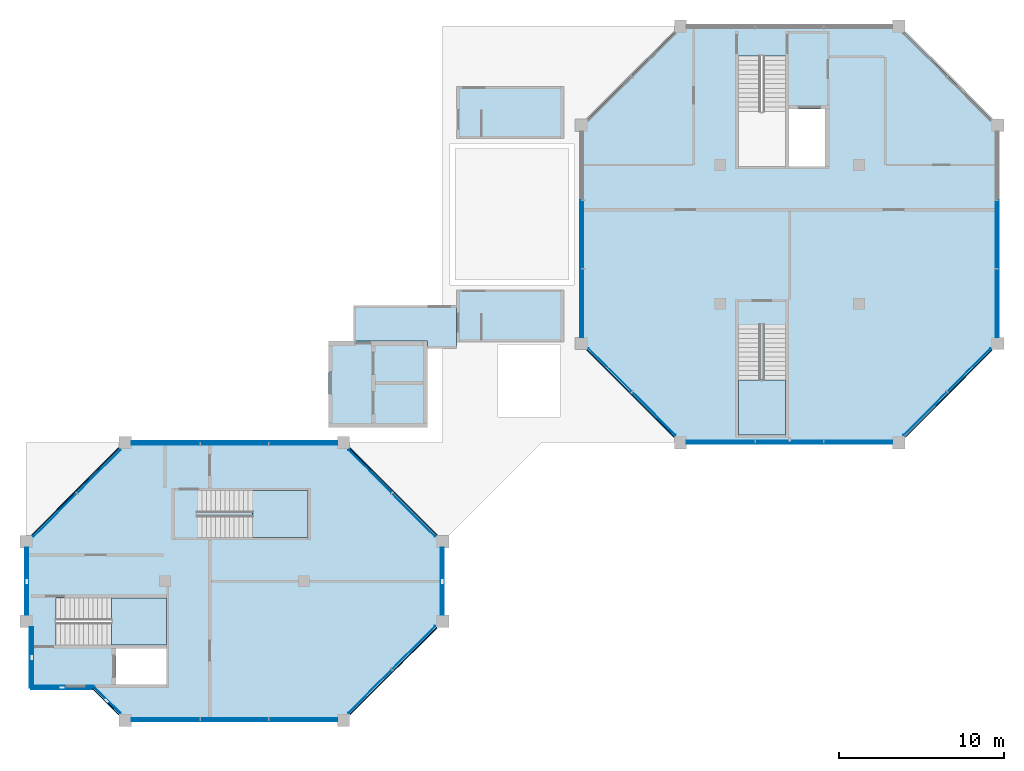
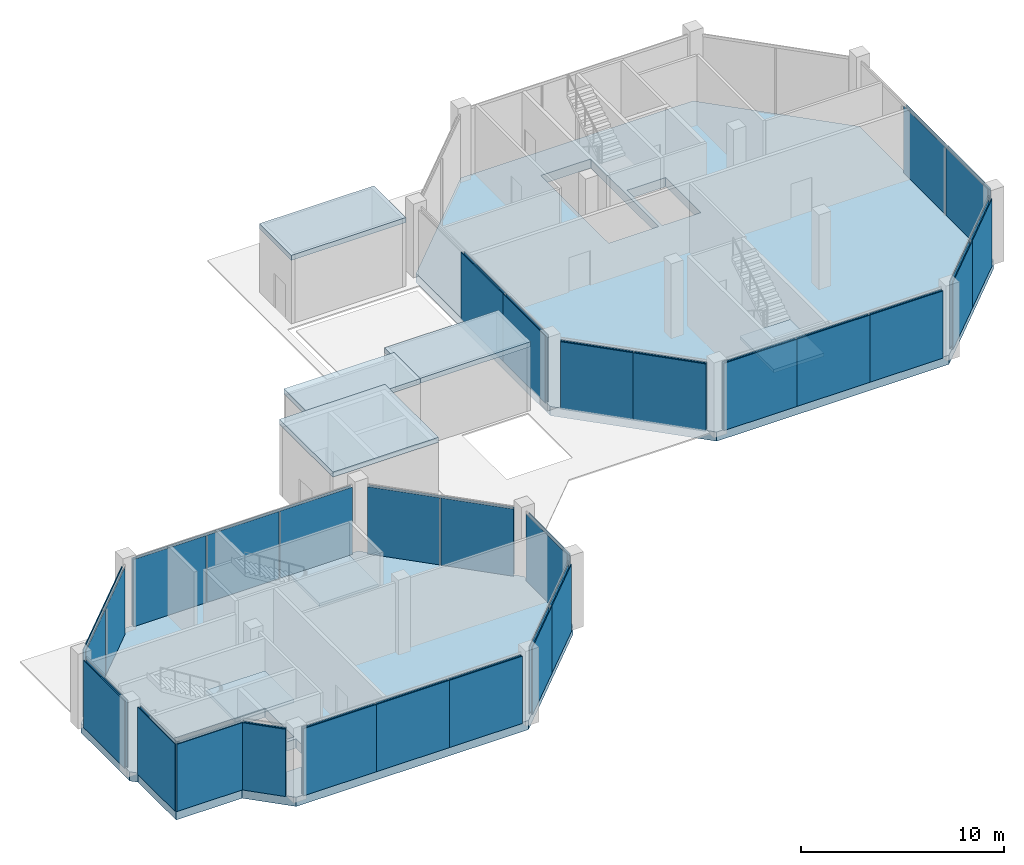
# One storey, part 4 of 10: 56 plates, 9 slabs, 18 elements without a shape of their own.
"""IFC4 building model written with IfcOpenShell, lengths in metres."""

from ifc_helpers import new_model, si_unit, direction, frame, origin, origin_2d, place, context, subcontext, project, spatial, polyline, rectangle, outline, extrude, material, layer, layer_set, type_object, element, aggregate, save


model = new_model("IFC4")

# Units and contexts
model_context = context("Model", 3, precision=1e-05, world=origin(), true_north=direction((0.0, 1.0)))
body_context = subcontext(model_context, "Body", "Model", "MODEL_VIEW")
ifc_project = project(units=[si_unit("LENGTHUNIT", "METRE"), si_unit("AREAUNIT", "SQUARE_METRE"), si_unit("VOLUMEUNIT", "CUBIC_METRE"), si_unit("PLANEANGLEUNIT", "RADIAN"), si_unit("MASSUNIT", "GRAM", prefix="KILO")], contexts=[model_context])

# Site, building, storey
site_placement = place(None, origin())
site = spatial("IfcSite", under=ifc_project, at=site_placement, CompositionType="ELEMENT")
building_placement = place(site_placement, origin())
building = spatial("IfcBuilding", under=site, at=building_placement, Name="Kawkab Arch Medical Tower", CompositionType="ELEMENT")
storey_placement = place(building_placement, frame((0.0, 0.0, 336.699951171875)))
storey = spatial("IfcBuildingStorey", under=building, at=storey_placement, Name="L78", CompositionType="ELEMENT", Elevation=336.699951171875)

# Curtain wall, plates
ifc_material_1 = material(Name="Bronze anodised aluminium curtain wall frame", Category="aluminium")
ifc_layer_1 = layer(ifc_material_1, 0.159912109375)
ifc_layer_set_1 = layer_set([ifc_layer_1], Name="Bronze anodised aluminium curtain wall frame")
curtain_wall_type = type_object("IfcCurtainWallType", Name="CW6 helipad lobby and crown glazing", PredefinedType="NOTDEFINED", material=ifc_layer_set_1)
placement_1 = place(storey_placement, origin())
curtain_wall_1 = element("IfcCurtainWall", 1, at=placement_1, inside=storey, type_object=curtain_wall_type, Name="CW6 Helipad lobby and crown glazing R04", PredefinedType="NOTDEFINED")
ifc_material_2 = material(Name="Tinted laminated insulating glass, low iron", Category="glass")
ifc_layer_2 = layer(ifc_material_2, 0.0400390625)
ifc_layer_set_2 = layer_set([ifc_layer_2], Name="Tinted laminated insulating glass, low iron")
plate_type_1 = type_object("IfcPlateType", Name="CW6 glazing unit 40", PredefinedType="CURTAIN_PANEL", material=ifc_layer_set_2)
plate_1_placement = place(storey_placement, frame((33.699951171875, -12.60009765625, 0.0), z_axis=(0.0, 0.0, 1.0), x_axis=(0.0, -1.0, 0.0)))
plate_1 = element("IfcPlate", 2, at=plate_1_placement, type_object=plate_type_1, Name="CW6 glazing unit 1.2", PredefinedType="CURTAIN_PANEL", context=body_context, shape_type="SweptSolid", body=[
    extrude(rectangle(XDim=4.080078125, YDim=0.0400390625, at=origin_2d()), origin(), (0.0, 0.0, 1.0), 4.0400390625),
])
plate_2_placement = place(storey_placement, frame((33.699951171875, -16.767578125, 0.0), z_axis=(0.0, 0.0, 1.0), x_axis=(0.0, -1.0, 0.0)))
plate_2 = element("IfcPlate", 3, at=plate_2_placement, type_object=plate_type_1, Name="CW6 glazing unit 1.3", PredefinedType="CURTAIN_PANEL", context=body_context, shape_type="SweptSolid", body=[
    extrude(rectangle(XDim=4.114990234375, YDim=0.0400390625, at=origin_2d()), origin(), (0.0, 0.0, 1.0), 4.0400390625),
])
aggregate(curtain_wall_1, [plate_1, plate_2])

curtain_wall_2 = element("IfcCurtainWall", 4, at=placement_1, inside=storey, type_object=curtain_wall_type, Name="CW6 Helipad lobby and crown glazing R05", PredefinedType="NOTDEFINED")
plate_3_placement = place(storey_placement, frame((35.345703125, -20.804443359375, 0.0), z_axis=(0.0, 0.0, 1.0), x_axis=(0.707106781187, -0.707106781187, 0.0)))
plate_3 = element("IfcPlate", 5, at=plate_3_placement, type_object=plate_type_1, Name="CW6 glazing unit 1.1", PredefinedType="CURTAIN_PANEL", context=body_context, shape_type="SweptSolid", body=[
    extrude(rectangle(XDim=3.67724609375, YDim=0.0400390625, at=origin_2d()), origin(), (0.0, 0.0, 1.0), 4.0400390625),
])
plate_4_placement = place(storey_placement, frame((37.99560546875, -23.4541015625, 0.0), z_axis=(0.0, 0.0, 1.0), x_axis=(0.707106781187, -0.707106781187, 0.0)))
plate_4 = element("IfcPlate", 6, at=plate_4_placement, type_object=plate_type_1, Name="CW6 glazing unit 1.2", PredefinedType="CURTAIN_PANEL", context=body_context, shape_type="SweptSolid", body=[
    extrude(rectangle(XDim=3.67724609375, YDim=0.0400390625, at=origin_2d()), origin(), (0.0, 0.0, 1.0), 4.0400390625),
])
aggregate(curtain_wall_2, [plate_3, plate_4])

curtain_wall_3 = element("IfcCurtainWall", 7, at=placement_1, inside=storey, type_object=curtain_wall_type, Name="CW6 Helipad lobby and crown glazing R06", PredefinedType="NOTDEFINED")
plate_5_placement = place(storey_placement, frame((42.032470703125, -25.10009765625, 0.0), z_axis=(0.0, 0.0, 1.0), x_axis=(1.0, 0.0, 0.0)))
plate_5 = element("IfcPlate", 8, at=plate_5_placement, type_object=plate_type_1, Name="CW6 glazing unit 1.1", PredefinedType="CURTAIN_PANEL", context=body_context, shape_type="SweptSolid", body=[
    extrude(rectangle(XDim=4.114990234375, YDim=0.0400390625, at=origin_2d()), origin(), (0.0, 0.0, 1.0), 4.0400390625),
])
plate_6_placement = place(storey_placement, frame((46.199951171875, -25.10009765625, 0.0), z_axis=(0.0, 0.0, 1.0), x_axis=(1.0, 0.0, 0.0)))
plate_6 = element("IfcPlate", 9, at=plate_6_placement, type_object=plate_type_1, Name="CW6 glazing unit 1.2", PredefinedType="CURTAIN_PANEL", context=body_context, shape_type="SweptSolid", body=[
    extrude(rectangle(XDim=4.080078125, YDim=0.0400390625, at=origin_2d()), origin(), (0.0, 0.0, 1.0), 4.0400390625),
])
plate_7_placement = place(storey_placement, frame((50.367431640625, -25.10009765625, 0.0), z_axis=(0.0, 0.0, 1.0), x_axis=(1.0, 0.0, 0.0)))
plate_7 = element("IfcPlate", 10, at=plate_7_placement, type_object=plate_type_1, Name="CW6 glazing unit 1.3", PredefinedType="CURTAIN_PANEL", context=body_context, shape_type="SweptSolid", body=[
    extrude(rectangle(XDim=4.114990234375, YDim=0.0400390625, at=origin_2d()), origin(), (0.0, 0.0, 1.0), 4.0400390625),
])
aggregate(curtain_wall_3, [plate_5, plate_6, plate_7])

curtain_wall_4 = element("IfcCurtainWall", 11, at=placement_1, inside=storey, type_object=curtain_wall_type, Name="CW6 Helipad lobby and crown glazing R07", PredefinedType="NOTDEFINED")
plate_8_placement = place(storey_placement, frame((54.404296875, -23.4541015625, 0.0), z_axis=(0.0, 0.0, 1.0), x_axis=(0.707106781187, 0.707106781187, 0.0)))
plate_8 = element("IfcPlate", 12, at=plate_8_placement, type_object=plate_type_1, Name="CW6 glazing unit 1.1", PredefinedType="CURTAIN_PANEL", context=body_context, shape_type="SweptSolid", body=[
    extrude(rectangle(XDim=3.67724609375, YDim=0.0400390625, at=origin_2d()), origin(), (0.0, 0.0, 1.0), 4.0400390625),
])
plate_9_placement = place(storey_placement, frame((57.05419921875, -20.804443359375, 0.0), z_axis=(0.0, 0.0, 1.0), x_axis=(0.707106781187, 0.707106781187, 0.0)))
plate_9 = element("IfcPlate", 13, at=plate_9_placement, type_object=plate_type_1, Name="CW6 glazing unit 1.2", PredefinedType="CURTAIN_PANEL", context=body_context, shape_type="SweptSolid", body=[
    extrude(rectangle(XDim=3.67724609375, YDim=0.0400390625, at=origin_2d()), origin(), (0.0, 0.0, 1.0), 4.0400390625),
])
aggregate(curtain_wall_4, [plate_8, plate_9])

curtain_wall_5 = element("IfcCurtainWall", 14, at=placement_1, inside=storey, type_object=curtain_wall_type, Name="CW6 Helipad lobby and crown glazing R08", PredefinedType="NOTDEFINED")
plate_10_placement = place(storey_placement, frame((58.699951171875, -16.767578125, 0.0), z_axis=(0.0, 0.0, 1.0), x_axis=(0.0, 1.0, 0.0)))
plate_10 = element("IfcPlate", 15, at=plate_10_placement, type_object=plate_type_1, Name="CW6 glazing unit 1.1", PredefinedType="CURTAIN_PANEL", context=body_context, shape_type="SweptSolid", body=[
    extrude(rectangle(XDim=4.114990234375, YDim=0.0400390625, at=origin_2d()), origin(), (0.0, 0.0, 1.0), 4.0400390625),
])
plate_11_placement = place(storey_placement, frame((58.699951171875, -12.60009765625, 0.0), z_axis=(0.0, 0.0, 1.0), x_axis=(0.0, 1.0, 0.0)))
plate_11 = element("IfcPlate", 16, at=plate_11_placement, type_object=plate_type_1, Name="CW6 glazing unit 1.2", PredefinedType="CURTAIN_PANEL", context=body_context, shape_type="SweptSolid", body=[
    extrude(rectangle(XDim=4.080078125, YDim=0.0400390625, at=origin_2d()), origin(), (0.0, 0.0, 1.0), 4.0400390625),
])
aggregate(curtain_wall_5, [plate_10, plate_11])

curtain_wall_6 = element("IfcCurtainWall", 17, at=placement_1, inside=storey, type_object=curtain_wall_type, Name="CW6 Helipad lobby and crown glazing R09", PredefinedType="NOTDEFINED")
plate_12_placement = place(storey_placement, frame((23.4541015625, -29.595703125, 0.0), z_axis=(0.0, 0.0, 1.0), x_axis=(-0.707106781187, 0.707106781187, 0.0)))
plate_12 = element("IfcPlate", 18, at=plate_12_placement, type_object=plate_type_1, Name="CW6 glazing unit 1.1", PredefinedType="CURTAIN_PANEL", context=body_context, shape_type="SweptSolid", body=[
    extrude(rectangle(XDim=3.67724609375, YDim=0.0400390625, at=origin_2d()), origin(), (0.0, 0.0, 1.0), 4.0400390625),
])
plate_13_placement = place(storey_placement, frame((20.804443359375, -26.94580078125, 0.0), z_axis=(0.0, 0.0, 1.0), x_axis=(-0.707106781187, 0.707106781187, 0.0)))
plate_13 = element("IfcPlate", 19, at=plate_13_placement, type_object=plate_type_1, Name="CW6 glazing unit 1.2", PredefinedType="CURTAIN_PANEL", context=body_context, shape_type="SweptSolid", body=[
    extrude(rectangle(XDim=3.67724609375, YDim=0.0400390625, at=origin_2d()), origin(), (0.0, 0.0, 1.0), 4.0400390625),
])
aggregate(curtain_wall_6, [plate_12, plate_13])

curtain_wall_7 = element("IfcCurtainWall", 20, at=placement_1, inside=storey, type_object=curtain_wall_type, Name="CW6 Helipad lobby and crown glazing R10", PredefinedType="NOTDEFINED")
plate_14_placement = place(storey_placement, frame((16.767578125, -25.300048828125, 0.0), z_axis=(0.0, 0.0, 1.0), x_axis=(-1.0, 0.0, 0.0)))
plate_14 = element("IfcPlate", 21, at=plate_14_placement, type_object=plate_type_1, Name="CW6 glazing unit 1.1", PredefinedType="CURTAIN_PANEL", context=body_context, shape_type="SweptSolid", body=[
    extrude(rectangle(XDim=4.114990234375, YDim=0.0400390625, at=origin_2d()), origin(), (0.0, 0.0, 1.0), 4.0400390625),
])
plate_15_placement = place(storey_placement, frame((12.60009765625, -25.300048828125, 0.0), z_axis=(0.0, 0.0, 1.0), x_axis=(-1.0, 0.0, 0.0)))
plate_15 = element("IfcPlate", 22, at=plate_15_placement, type_object=plate_type_1, Name="CW6 glazing unit 1.2", PredefinedType="CURTAIN_PANEL", context=body_context, shape_type="SweptSolid", body=[
    extrude(rectangle(XDim=4.080078125, YDim=0.0400390625, at=origin_2d()), origin(), (0.0, 0.0, 1.0), 4.0400390625),
])
plate_16_placement = place(storey_placement, frame((8.4326171875, -25.300048828125, 0.0), z_axis=(0.0, 0.0, 1.0), x_axis=(-1.0, 0.0, 0.0)))
plate_16 = element("IfcPlate", 23, at=plate_16_placement, type_object=plate_type_1, Name="CW6 glazing unit 1.3", PredefinedType="CURTAIN_PANEL", context=body_context, shape_type="SweptSolid", body=[
    extrude(rectangle(XDim=4.114990234375, YDim=0.0400390625, at=origin_2d()), origin(), (0.0, 0.0, 1.0), 4.0400390625),
])
aggregate(curtain_wall_7, [plate_14, plate_15, plate_16])

curtain_wall_8 = element("IfcCurtainWall", 24, at=placement_1, inside=storey, type_object=curtain_wall_type, Name="CW6 Helipad lobby and crown glazing R11", PredefinedType="NOTDEFINED")
plate_17_placement = place(storey_placement, frame((4.3955078125, -26.94580078125, 0.0), z_axis=(0.0, 0.0, 1.0), x_axis=(-0.707106781187, -0.707106781187, 0.0)))
plate_17 = element("IfcPlate", 25, at=plate_17_placement, type_object=plate_type_1, Name="CW6 glazing unit 1.1", PredefinedType="CURTAIN_PANEL", context=body_context, shape_type="SweptSolid", body=[
    extrude(rectangle(XDim=3.67724609375, YDim=0.0400390625, at=origin_2d()), origin(), (0.0, 0.0, 1.0), 4.0400390625),
])
plate_18_placement = place(storey_placement, frame((1.745849609375, -29.595703125, 0.0), z_axis=(0.0, 0.0, 1.0), x_axis=(-0.707106781187, -0.707106781187, 0.0)))
plate_18 = element("IfcPlate", 26, at=plate_18_placement, type_object=plate_type_1, Name="CW6 glazing unit 1.2", PredefinedType="CURTAIN_PANEL", context=body_context, shape_type="SweptSolid", body=[
    extrude(rectangle(XDim=3.67724609375, YDim=0.0400390625, at=origin_2d()), origin(), (0.0, 0.0, 1.0), 4.0400390625),
])
aggregate(curtain_wall_8, [plate_17, plate_18])

# Curtain wall, plate
curtain_wall_9 = element("IfcCurtainWall", 27, at=placement_1, inside=storey, type_object=curtain_wall_type, Name="CW6 Helipad lobby and crown glazing R12", PredefinedType="NOTDEFINED")
plate_19_placement = place(storey_placement, frame((0.10009765625, -33.60009765625, 0.0), z_axis=(0.0, 0.0, 1.0), x_axis=(0.0, -1.0, 0.0)))
plate_19 = element("IfcPlate", 28, at=plate_19_placement, type_object=plate_type_1, Name="CW6 glazing unit 1.1", PredefinedType="CURTAIN_PANEL", context=body_context, shape_type="SweptSolid", body=[
    extrude(rectangle(XDim=4.050048828125, YDim=0.0400390625, at=origin_2d()), origin(), (0.0, 0.0, 1.0), 4.0400390625),
])
aggregate(curtain_wall_9, [plate_19])

curtain_wall_10 = element("IfcCurtainWall", 29, at=placement_1, inside=storey, type_object=curtain_wall_type, Name="CW6 Helipad lobby and crown glazing R14", PredefinedType="NOTDEFINED")
plate_20_placement = place(storey_placement, frame((0.39990234375, -38.21240234375, 0.0), z_axis=(0.0, 0.0, 1.0), x_axis=(0.0, -1.0, 0.0)))
plate_20 = element("IfcPlate", 30, at=plate_20_placement, type_object=plate_type_1, Name="CW6 glazing unit 1.1", PredefinedType="CURTAIN_PANEL", context=body_context, shape_type="SweptSolid", body=[
    extrude(rectangle(XDim=3.675048828125, YDim=0.0400390625, at=origin_2d()), origin(), (0.0, 0.0, 1.0), 4.0400390625),
])
aggregate(curtain_wall_10, [plate_20])

curtain_wall_11 = element("IfcCurtainWall", 31, at=placement_1, inside=storey, type_object=curtain_wall_type, Name="CW6 Helipad lobby and crown glazing R15", PredefinedType="NOTDEFINED")
plate_21_placement = place(storey_placement, frame((2.175048828125, -39.949951171875, 0.0), z_axis=(0.0, 0.0, 1.0), x_axis=(1.0, 0.0, 0.0)))
plate_21 = element("IfcPlate", 32, at=plate_21_placement, type_object=plate_type_1, Name="CW6 glazing unit 1.1", PredefinedType="CURTAIN_PANEL", context=body_context, shape_type="SweptSolid", body=[
    extrude(rectangle(XDim=3.75, YDim=0.0400390625, at=origin_2d()), origin(), (0.0, 0.0, 1.0), 4.0400390625),
])
aggregate(curtain_wall_11, [plate_21])

curtain_wall_12 = element("IfcCurtainWall", 33, at=placement_1, inside=storey, type_object=curtain_wall_type, Name="CW6 Helipad lobby and crown glazing R16", PredefinedType="NOTDEFINED")
plate_22_placement = place(storey_placement, frame((4.908203125, -40.766845703125, 0.0), z_axis=(0.0, 0.0, 1.0), x_axis=(0.707106781187, -0.707106781187, 0.0)))
plate_22 = element("IfcPlate", 34, at=plate_22_placement, type_object=plate_type_1, Name="CW6 glazing unit 1.1", PredefinedType="CURTAIN_PANEL", context=body_context, shape_type="SweptSolid", body=[
    extrude(rectangle(XDim=2.227294921875, YDim=0.0400390625, at=origin_2d()), origin(), (0.0, 0.0, 1.0), 4.0400390625),
])
aggregate(curtain_wall_12, [plate_22])

# Curtain wall, plates
curtain_wall_13 = element("IfcCurtainWall", 35, at=placement_1, inside=storey, type_object=curtain_wall_type, Name="CW6 Helipad lobby and crown glazing R17", PredefinedType="NOTDEFINED")
plate_23_placement = place(storey_placement, frame((8.4326171875, -41.89990234375, 0.0), z_axis=(0.0, 0.0, 1.0), x_axis=(1.0, 0.0, 0.0)))
plate_23 = element("IfcPlate", 36, at=plate_23_placement, type_object=plate_type_1, Name="CW6 glazing unit 1.1", PredefinedType="CURTAIN_PANEL", context=body_context, shape_type="SweptSolid", body=[
    extrude(rectangle(XDim=4.114990234375, YDim=0.0400390625, at=origin_2d()), origin(), (0.0, 0.0, 1.0), 4.0400390625),
])
plate_24_placement = place(storey_placement, frame((12.60009765625, -41.89990234375, 0.0), z_axis=(0.0, 0.0, 1.0), x_axis=(1.0, 0.0, 0.0)))
plate_24 = element("IfcPlate", 37, at=plate_24_placement, type_object=plate_type_1, Name="CW6 glazing unit 1.2", PredefinedType="CURTAIN_PANEL", context=body_context, shape_type="SweptSolid", body=[
    extrude(rectangle(XDim=4.080078125, YDim=0.0400390625, at=origin_2d()), origin(), (0.0, 0.0, 1.0), 4.0400390625),
])
plate_25_placement = place(storey_placement, frame((16.767578125, -41.89990234375, 0.0), z_axis=(0.0, 0.0, 1.0), x_axis=(1.0, 0.0, 0.0)))
plate_25 = element("IfcPlate", 38, at=plate_25_placement, type_object=plate_type_1, Name="CW6 glazing unit 1.3", PredefinedType="CURTAIN_PANEL", context=body_context, shape_type="SweptSolid", body=[
    extrude(rectangle(XDim=4.114990234375, YDim=0.0400390625, at=origin_2d()), origin(), (0.0, 0.0, 1.0), 4.0400390625),
])
aggregate(curtain_wall_13, [plate_23, plate_24, plate_25])

curtain_wall_14 = element("IfcCurtainWall", 39, at=placement_1, inside=storey, type_object=curtain_wall_type, Name="CW6 Helipad lobby and crown glazing R18", PredefinedType="NOTDEFINED")
plate_26_placement = place(storey_placement, frame((20.804443359375, -40.254150390625, 0.0), z_axis=(0.0, 0.0, 1.0), x_axis=(0.707106781187, 0.707106781187, 0.0)))
plate_26 = element("IfcPlate", 40, at=plate_26_placement, type_object=plate_type_1, Name="CW6 glazing unit 1.1", PredefinedType="CURTAIN_PANEL", context=body_context, shape_type="SweptSolid", body=[
    extrude(rectangle(XDim=3.67724609375, YDim=0.0400390625, at=origin_2d()), origin(), (0.0, 0.0, 1.0), 4.0400390625),
])
plate_27_placement = place(storey_placement, frame((23.4541015625, -37.6044921875, 0.0), z_axis=(0.0, 0.0, 1.0), x_axis=(0.707106781187, 0.707106781187, 0.0)))
plate_27 = element("IfcPlate", 41, at=plate_27_placement, type_object=plate_type_1, Name="CW6 glazing unit 1.2", PredefinedType="CURTAIN_PANEL", context=body_context, shape_type="SweptSolid", body=[
    extrude(rectangle(XDim=3.67724609375, YDim=0.0400390625, at=origin_2d()), origin(), (0.0, 0.0, 1.0), 4.0400390625),
])
aggregate(curtain_wall_14, [plate_26, plate_27])

# Curtain wall, plate
curtain_wall_15 = element("IfcCurtainWall", 42, at=placement_1, inside=storey, type_object=curtain_wall_type, Name="CW6 Helipad lobby and crown glazing R19", PredefinedType="NOTDEFINED")
plate_28_placement = place(storey_placement, frame((25.10009765625, -33.60009765625, 0.0), z_axis=(0.0, 0.0, 1.0), x_axis=(0.0, 1.0, 0.0)))
plate_28 = element("IfcPlate", 43, at=plate_28_placement, type_object=plate_type_1, Name="CW6 glazing unit 1.1", PredefinedType="CURTAIN_PANEL", context=body_context, shape_type="SweptSolid", body=[
    extrude(rectangle(XDim=4.050048828125, YDim=0.0400390625, at=origin_2d()), origin(), (0.0, 0.0, 1.0), 4.0400390625),
])
aggregate(curtain_wall_15, [plate_28])

# Plates
ifc_material_3 = material(Name="Bronze anodised aluminium perforated screen", Category="aluminium")
ifc_layer_3 = layer(ifc_material_3, 0.050048828125)
ifc_layer_set_3 = layer_set([ifc_layer_3], Name="Bronze anodised aluminium perforated screen")
plate_type_2 = type_object("IfcPlateType", Name="Crown perforated star screen 50", PredefinedType="USERDEFINED", material=ifc_layer_set_3)
for number, where, z_axis, x_axis, name in (
    (44, (33.554931640625, -12.60009765625, 0.0), (0.0, 0.0, 1.0), (0.0, -1.0, 0.0), "Crown screen L78 R04.1.2"),
    (45, (33.554931640625, -16.75, 0.0), (0.0, 0.0, 1.0), (0.0, -1.0, 0.0), "Crown screen L78 R04.1.3"),
):
    element("IfcPlate", number, at=place(storey_placement, frame(where, z_axis=z_axis, x_axis=x_axis)), inside=storey, type_object=plate_type_2, Name=name, ObjectType="SCREEN", PredefinedType="USERDEFINED", context=body_context, shape_type="SweptSolid", body=[
        extrude(rectangle(XDim=4.14990234375, YDim=0.050048828125, at=origin_2d()), origin(), (0.0, 0.0, 1.0), 4.0400390625),
    ])
for number, where, z_axis, x_axis, name in (
    (46, (35.255615234375, -20.919189453125, 0.0), (0.0, 0.0, 1.0), (0.707106781187, -0.707106781187, 0.0), "Crown screen L78 R05.1.1"),
    (47, (37.880615234375, -23.54443359375, 0.0), (0.0, 0.0, 1.0), (0.707106781187, -0.707106781187, 0.0), "Crown screen L78 R05.1.2"),
):
    element("IfcPlate", number, at=place(storey_placement, frame(where, z_axis=z_axis, x_axis=x_axis)), inside=storey, type_object=plate_type_2, Name=name, ObjectType="SCREEN", PredefinedType="USERDEFINED", context=body_context, shape_type="SweptSolid", body=[
        extrude(rectangle(XDim=3.71240234375, YDim=0.050048828125, at=origin_2d()), origin(), (0.0, 0.0, 1.0), 4.0400390625),
    ])
for number, where, z_axis, x_axis, name in (
    (48, (42.050048828125, -25.2451171875, 0.0), (0.0, 0.0, 1.0), (1.0, 0.0, 0.0), "Crown screen L78 R06.1.1"),
    (49, (46.199951171875, -25.2451171875, 0.0), (0.0, 0.0, 1.0), (1.0, 0.0, 0.0), "Crown screen L78 R06.1.2"),
    (50, (50.35009765625, -25.2451171875, 0.0), (0.0, 0.0, 1.0), (1.0, 0.0, 0.0), "Crown screen L78 R06.1.3"),
):
    element("IfcPlate", number, at=place(storey_placement, frame(where, z_axis=z_axis, x_axis=x_axis)), inside=storey, type_object=plate_type_2, Name=name, ObjectType="SCREEN", PredefinedType="USERDEFINED", context=body_context, shape_type="SweptSolid", body=[
        extrude(rectangle(XDim=4.14990234375, YDim=0.050048828125, at=origin_2d()), origin(), (0.0, 0.0, 1.0), 4.0400390625),
    ])
for number, where, z_axis, x_axis, name in (
    (51, (54.519287109375, -23.544189453125, 0.0), (0.0, 0.0, 1.0), (0.707106781187, 0.707106781187, 0.0), "Crown screen L78 R07.1.1"),
    (52, (57.144287109375, -20.919189453125, 0.0), (0.0, 0.0, 1.0), (0.707106781187, 0.707106781187, 0.0), "Crown screen L78 R07.1.2"),
):
    element("IfcPlate", number, at=place(storey_placement, frame(where, z_axis=z_axis, x_axis=x_axis)), inside=storey, type_object=plate_type_2, Name=name, ObjectType="SCREEN", PredefinedType="USERDEFINED", context=body_context, shape_type="SweptSolid", body=[
        extrude(rectangle(XDim=3.71240234375, YDim=0.050048828125, at=origin_2d()), origin(), (0.0, 0.0, 1.0), 4.0400390625),
    ])
for number, where, z_axis, x_axis, name in (
    (53, (58.844970703125, -16.75, 0.0), (0.0, 0.0, 1.0), (0.0, 1.0, 0.0), "Crown screen L78 R08.1.1"),
    (54, (58.844970703125, -12.60009765625, 0.0), (0.0, 0.0, 1.0), (0.0, 1.0, 0.0), "Crown screen L78 R08.1.2"),
):
    element("IfcPlate", number, at=place(storey_placement, frame(where, z_axis=z_axis, x_axis=x_axis)), inside=storey, type_object=plate_type_2, Name=name, ObjectType="SCREEN", PredefinedType="USERDEFINED", context=body_context, shape_type="SweptSolid", body=[
        extrude(rectangle(XDim=4.14990234375, YDim=0.050048828125, at=origin_2d()), origin(), (0.0, 0.0, 1.0), 4.0400390625),
    ])
for number, where, z_axis, x_axis, name in (
    (55, (23.544189453125, -29.480712890625, 0.0), (0.0, 0.0, 1.0), (-0.707106781187, 0.707106781187, 0.0), "Crown screen L78 R09.1.1"),
    (56, (20.919189453125, -26.855712890625, 0.0), (0.0, 0.0, 1.0), (-0.707106781187, 0.707106781187, 0.0), "Crown screen L78 R09.1.2"),
):
    element("IfcPlate", number, at=place(storey_placement, frame(where, z_axis=z_axis, x_axis=x_axis)), inside=storey, type_object=plate_type_2, Name=name, ObjectType="SCREEN", PredefinedType="USERDEFINED", context=body_context, shape_type="SweptSolid", body=[
        extrude(rectangle(XDim=3.71240234375, YDim=0.050048828125, at=origin_2d()), origin(), (0.0, 0.0, 1.0), 4.0400390625),
    ])
for number, where, z_axis, x_axis, name in (
    (57, (16.75, -25.155029296875, 0.0), (0.0, 0.0, 1.0), (-1.0, 0.0, 0.0), "Crown screen L78 R10.1.1"),
    (58, (12.60009765625, -25.155029296875, 0.0), (0.0, 0.0, 1.0), (-1.0, 0.0, 0.0), "Crown screen L78 R10.1.2"),
    (59, (8.449951171875, -25.155029296875, 0.0), (0.0, 0.0, 1.0), (-1.0, 0.0, 0.0), "Crown screen L78 R10.1.3"),
):
    element("IfcPlate", number, at=place(storey_placement, frame(where, z_axis=z_axis, x_axis=x_axis)), inside=storey, type_object=plate_type_2, Name=name, ObjectType="SCREEN", PredefinedType="USERDEFINED", context=body_context, shape_type="SweptSolid", body=[
        extrude(rectangle(XDim=4.14990234375, YDim=0.050048828125, at=origin_2d()), origin(), (0.0, 0.0, 1.0), 4.0400390625),
    ])
for number, where, z_axis, x_axis, name in (
    (60, (4.28076171875, -26.855712890625, 0.0), (0.0, 0.0, 1.0), (-0.707106781187, -0.707106781187, 0.0), "Crown screen L78 R11.1.1"),
    (61, (1.655517578125, -29.480712890625, 0.0), (0.0, 0.0, 1.0), (-0.707106781187, -0.707106781187, 0.0), "Crown screen L78 R11.1.2"),
):
    element("IfcPlate", number, at=place(storey_placement, frame(where, z_axis=z_axis, x_axis=x_axis)), inside=storey, type_object=plate_type_2, Name=name, ObjectType="SCREEN", PredefinedType="USERDEFINED", context=body_context, shape_type="SweptSolid", body=[
        extrude(rectangle(XDim=3.71240234375, YDim=0.050048828125, at=origin_2d()), origin(), (0.0, 0.0, 1.0), 4.0400390625),
    ])
plate_29_placement = place(storey_placement, frame((-0.044921875, -33.60009765625, 0.0), z_axis=(0.0, 0.0, 1.0), x_axis=(0.0, -1.0, 0.0)))
element("IfcPlate", 62, at=plate_29_placement, inside=storey, type_object=plate_type_2, Name="Crown screen L78 R12.1.1", ObjectType="SCREEN", PredefinedType="USERDEFINED", context=body_context, shape_type="SweptSolid", body=[
    extrude(rectangle(XDim=4.050048828125, YDim=0.050048828125, at=origin_2d()), origin(), (0.0, 0.0, 1.0), 4.0400390625),
])
plate_30_placement = place(storey_placement, frame((0.2548828125, -38.21240234375, 0.0), z_axis=(0.0, 0.0, 1.0), x_axis=(0.0, -1.0, 0.0)))
element("IfcPlate", 63, at=plate_30_placement, inside=storey, type_object=plate_type_2, Name="Crown screen L78 R14.1.1", ObjectType="SCREEN", PredefinedType="USERDEFINED", context=body_context, shape_type="SweptSolid", body=[
    extrude(rectangle(XDim=3.675048828125, YDim=0.050048828125, at=origin_2d()), origin(), (0.0, 0.0, 1.0), 4.0400390625),
])
plate_31_placement = place(storey_placement, frame((2.175048828125, -40.094970703125, 0.0), z_axis=(0.0, 0.0, 1.0), x_axis=(1.0, 0.0, 0.0)))
element("IfcPlate", 64, at=plate_31_placement, inside=storey, type_object=plate_type_2, Name="Crown screen L78 R15.1.1", ObjectType="SCREEN", PredefinedType="USERDEFINED", context=body_context, shape_type="SweptSolid", body=[
    extrude(rectangle(XDim=3.75, YDim=0.050048828125, at=origin_2d()), origin(), (0.0, 0.0, 1.0), 4.0400390625),
])
plate_32_placement = place(storey_placement, frame((4.8056640625, -40.869384765625, 0.0), z_axis=(0.0, 0.0, 1.0), x_axis=(0.707106781187, -0.707106781187, 0.0)))
element("IfcPlate", 65, at=plate_32_placement, inside=storey, type_object=plate_type_2, Name="Crown screen L78 R16.1.1", ObjectType="SCREEN", PredefinedType="USERDEFINED", context=body_context, shape_type="SweptSolid", body=[
    extrude(rectangle(XDim=2.227294921875, YDim=0.050048828125, at=origin_2d()), origin(), (0.0, 0.0, 1.0), 4.0400390625),
])
for number, where, z_axis, x_axis, name in (
    (66, (8.449951171875, -42.044921875, 0.0), (0.0, 0.0, 1.0), (1.0, 0.0, 0.0), "Crown screen L78 R17.1.1"),
    (67, (12.60009765625, -42.044921875, 0.0), (0.0, 0.0, 1.0), (1.0, 0.0, 0.0), "Crown screen L78 R17.1.2"),
    (68, (16.75, -42.044921875, 0.0), (0.0, 0.0, 1.0), (1.0, 0.0, 0.0), "Crown screen L78 R17.1.3"),
):
    element("IfcPlate", number, at=place(storey_placement, frame(where, z_axis=z_axis, x_axis=x_axis)), inside=storey, type_object=plate_type_2, Name=name, ObjectType="SCREEN", PredefinedType="USERDEFINED", context=body_context, shape_type="SweptSolid", body=[
        extrude(rectangle(XDim=4.14990234375, YDim=0.050048828125, at=origin_2d()), origin(), (0.0, 0.0, 1.0), 4.0400390625),
    ])
for number, where, z_axis, x_axis, name in (
    (69, (20.919189453125, -40.34423828125, 0.0), (0.0, 0.0, 1.0), (0.707106781187, 0.707106781187, 0.0), "Crown screen L78 R18.1.1"),
    (70, (23.54443359375, -37.71923828125, 0.0), (0.0, 0.0, 1.0), (0.707106781187, 0.707106781187, 0.0), "Crown screen L78 R18.1.2"),
):
    element("IfcPlate", number, at=place(storey_placement, frame(where, z_axis=z_axis, x_axis=x_axis)), inside=storey, type_object=plate_type_2, Name=name, ObjectType="SCREEN", PredefinedType="USERDEFINED", context=body_context, shape_type="SweptSolid", body=[
        extrude(rectangle(XDim=3.71240234375, YDim=0.050048828125, at=origin_2d()), origin(), (0.0, 0.0, 1.0), 4.0400390625),
    ])
plate_33_placement = place(storey_placement, frame((25.2451171875, -33.60009765625, 0.0), z_axis=(0.0, 0.0, 1.0), x_axis=(0.0, 1.0, 0.0)))
element("IfcPlate", 71, at=plate_33_placement, inside=storey, type_object=plate_type_2, Name="Crown screen L78 R19.1.1", ObjectType="SCREEN", PredefinedType="USERDEFINED", context=body_context, shape_type="SweptSolid", body=[
    extrude(rectangle(XDim=4.050048828125, YDim=0.050048828125, at=origin_2d()), origin(), (0.0, 0.0, 1.0), 4.0400390625),
])

# Stair, slab
ifc_material_4 = material(Name="Concrete C40/50", Category="concrete")
stair_type = type_object("IfcStairType", Name="Exit stair 1350", PredefinedType="HALF_TURN_STAIR", material=ifc_material_4)
stair_1 = element("IfcStair", 72, at=placement_1, inside=storey, type_object=stair_type, Name="L78 Exit stair ST6", PredefinedType="HALF_TURN_STAIR")
ifc_material_5 = material(Name="Concrete C40/50", Category="concrete")
ifc_layer_4 = layer(ifc_material_5, 0.199951171875)
ifc_layer_set_4 = layer_set([ifc_layer_4], Name="Concrete C40/50")
slab_type_1 = type_object("IfcSlabType", Name="Exit stair landing 200", PredefinedType="LANDING", material=ifc_layer_set_4)
placement_2 = place(storey_placement, frame((0.0, 0.0, 2.050048828125)))
slab_1 = element("IfcSlab", 73, at=placement_2, type_object=slab_type_1, Name="ST6 landing 1", PredefinedType="LANDING", context=body_context, shape_type="SweptSolid", body=[
    extrude(outline(polyline([(5.159912109375, -37.449951171875), (8.5, -37.449951171875), (8.5, -34.60009765625), (5.159912109375, -34.60009765625), (5.159912109375, -37.449951171875)])), origin(), (0.0, 0.0, 1.0), 0.199951171875),
])
aggregate(stair_1, [slab_1])

stair_2 = element("IfcStair", 74, at=placement_1, inside=storey, type_object=stair_type, Name="L78 Exit stair ST8", PredefinedType="HALF_TURN_STAIR")
slab_2 = element("IfcSlab", 75, at=placement_2, type_object=slab_type_1, Name="ST8 landing 1", PredefinedType="LANDING", context=body_context, shape_type="SweptSolid", body=[
    extrude(outline(polyline([(43.10009765625, -21.409912109375), (43.10009765625, -24.75), (45.949951171875, -24.75), (45.949951171875, -21.409912109375), (43.10009765625, -21.409912109375)])), origin(), (0.0, 0.0, 1.0), 0.199951171875),
])
aggregate(stair_2, [slab_2])

stair_3 = element("IfcStair", 76, at=placement_1, inside=storey, type_object=stair_type, Name="L78 Exit stair ST9", PredefinedType="HALF_TURN_STAIR")
slab_3 = element("IfcSlab", 77, at=placement_2, type_object=slab_type_1, Name="ST9 landing 1", PredefinedType="LANDING", context=body_context, shape_type="SweptSolid", body=[
    extrude(outline(polyline([(13.7099609375, -30.949951171875), (17.050048828125, -30.949951171875), (17.050048828125, -28.10009765625), (13.7099609375, -28.10009765625), (13.7099609375, -30.949951171875)])), origin(), (0.0, 0.0, 1.0), 0.199951171875),
])
aggregate(stair_3, [slab_3])

# Slabs
ifc_material_6 = material(Name="Concrete C40/50", Category="concrete")
ifc_layer_5 = layer(ifc_material_6, 0.300048828125)
ifc_layer_set_5 = layer_set([ifc_layer_5], Name="Concrete C40/50")
slab_type_2 = type_object("IfcSlabType", Name="Helideck head-house roof 300 C40/50", PredefinedType="ROOF", material=ifc_layer_set_5)
placement_3 = place(storey_placement, frame((0.0, 0.0, 4.199951171875)))
element("IfcSlab", 78, at=placement_3, inside=storey, type_object=slab_type_2, Name="Helideck head-house roof", PredefinedType="ROOF", context=body_context, shape_type="SweptSolid", body=[
    extrude(outline(polyline([(18.300048828125, -24.300048828125), (24.300048828125, -24.300048828125), (24.300048828125, -19.050048828125), (18.300048828125, -19.050048828125), (18.300048828125, -24.300048828125)])), origin(), (0.0, 0.0, 1.0), 0.300048828125),
])
element("IfcSlab", 79, at=placement_3, inside=storey, type_object=slab_type_2, Name="Stair head-house roof", PredefinedType="ROOF", context=body_context, shape_type="SweptSolid", body=[
    extrude(outline(polyline([(19.800048828125, -19.050048828125), (24.300048828125, -19.050048828125), (24.300048828125, -19.5), (26.050048828125, -19.5), (26.050048828125, -16.89990234375), (19.800048828125, -16.89990234375), (19.800048828125, -19.050048828125)])), origin(), (0.0, 0.0, 1.0), 0.300048828125),
])
placement_4 = place(storey_placement, frame((0.0, 0.0, 3.900146484375)))
element("IfcSlab", 80, at=placement_4, inside=storey, type_object=slab_type_2, Name="Stair head-house roof", PredefinedType="ROOF", context=body_context, shape_type="SweptSolid", body=[
    extrude(outline(polyline([(26.050048828125, -19.10009765625), (32.550048828125, -19.10009765625), (32.550048828125, -15.949951171875), (26.050048828125, -15.949951171875), (26.050048828125, -19.10009765625)])), origin(), (0.0, 0.0, 1.0), 0.2998046875),
])
element("IfcSlab", 81, at=placement_4, inside=storey, type_object=slab_type_2, Name="Stair head-house roof", PredefinedType="ROOF", context=body_context, shape_type="SweptSolid", body=[
    extrude(outline(polyline([(26.050048828125, -6.800048828125), (32.550048828125, -6.800048828125), (32.550048828125, -3.64990234375), (26.050048828125, -3.64990234375), (26.050048828125, -6.800048828125)])), origin(), (0.0, 0.0, 1.0), 0.2998046875),
])
ifc_material_7 = material(Name="Concrete C45/55", Category="concrete")
ifc_layer_6 = layer(ifc_material_7, 0.550048828125)
ifc_layer_set_6 = layer_set([ifc_layer_6], Name="Concrete C45/55")
slab_type_3 = type_object("IfcSlabType", Name="Transfer plate 550 C45/55", PredefinedType="FLOOR", material=ifc_layer_set_6)
placement_5 = place(storey_placement, frame((0.0, 0.0, -0.550048828125)))
element("IfcSlab", 82, at=placement_5, inside=storey, type_object=slab_type_3, Name="Floor slab L78", PredefinedType="FLOOR", context=body_context, shape_type="SweptSolid", body=[
    extrude(outline(polyline([(58.800048828125, -19.199951171875), (52.800048828125, -25.199951171875), (39.60009765625, -25.199951171875), (33.60009765625, -19.199951171875), (33.60009765625, -6.0), (39.60009765625, 0.0), (52.800048828125, 0.0), (58.800048828125, -6.0), (58.800048828125, -19.199951171875)]), holes=[polyline([(48.35009765625, -8.5), (48.35009765625, -5.02490234375), (46.14990234375, -5.02490234375), (46.14990234375, -8.5), (48.35009765625, -8.5)]), polyline([(45.949951171875, -8.5), (45.949951171875, -1.800048828125), (43.10009765625, -1.800048828125), (43.10009765625, -8.5), (45.949951171875, -8.5)])]), origin(), (0.0, 0.0, 1.0), 0.550048828125),
])
element("IfcSlab", 83, at=placement_5, inside=storey, type_object=slab_type_3, Name="Floor slab L78 part 2", PredefinedType="FLOOR", context=body_context, shape_type="SweptSolid", body=[
    extrude(outline(polyline([(25.199951171875, -36.0), (19.199951171875, -42.0), (6.0, -42.0), (4.050048828125, -40.050048828125), (0.300048828125, -40.050048828125), (0.300048828125, -36.300048828125), (0.0, -36.0), (0.0, -31.199951171875), (6.0, -25.199951171875), (19.199951171875, -25.199951171875), (25.199951171875, -31.199951171875), (25.199951171875, -36.0)]), holes=[polyline([(5.425048828125, -39.85009765625), (8.5, -39.85009765625), (8.5, -37.64990234375), (5.425048828125, -37.64990234375), (5.425048828125, -39.85009765625)]), polyline([(8.5, -34.60009765625), (1.800048828125, -34.60009765625), (1.800048828125, -37.449951171875), (8.5, -37.449951171875), (8.5, -34.60009765625)])]), origin(), (0.0, 0.0, 1.0), 0.550048828125),
])

save(model, "model.ifc")
